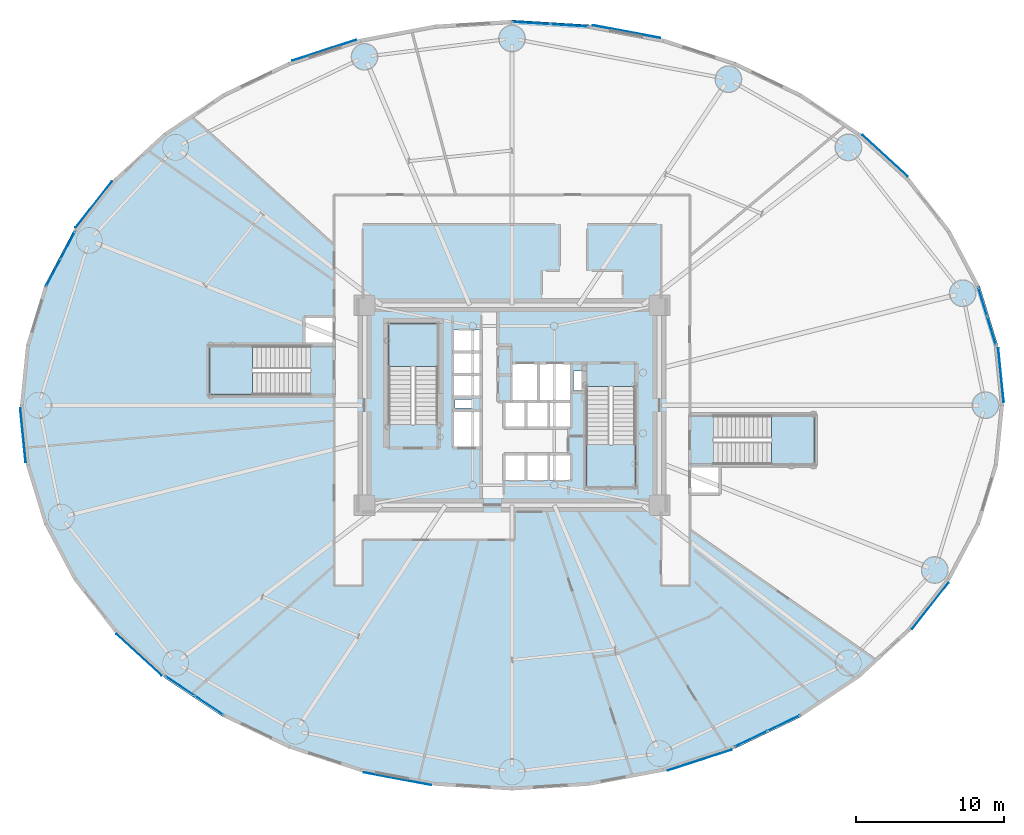
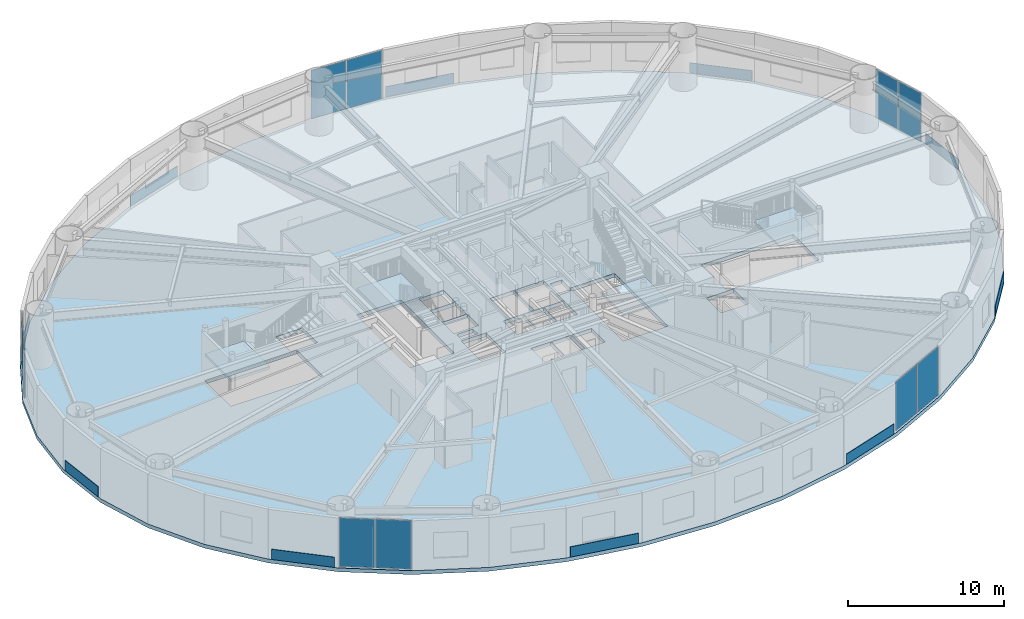
# One storey, part 12 of 30: 20 plates, 5 slabs, 9 elements without a shape of their own.
"""IFC4 building model written with IfcOpenShell, lengths in metres."""

from ifc_helpers import new_model, si_unit, direction, frame, origin, origin_2d, place, context, subcontext, project, spatial, polyline, rectangle, outline, extrude, source, transform, mapped, material, layer, layer_set, type_object, element, aggregate, save


model = new_model("IFC4")

# Units and contexts
model_context = context("Model", 3, precision=1e-05, world=origin(), true_north=direction((0.0, 1.0)))
body_context = subcontext(model_context, "Body", "Model", "MODEL_VIEW")
ifc_project = project(units=[si_unit("LENGTHUNIT", "METRE"), si_unit("AREAUNIT", "SQUARE_METRE"), si_unit("VOLUMEUNIT", "CUBIC_METRE"), si_unit("PLANEANGLEUNIT", "RADIAN"), si_unit("MASSUNIT", "GRAM", prefix="KILO")], contexts=[model_context])

# Site, building, storey
site_placement = place(None, origin())
site = spatial("IfcSite", under=ifc_project, at=site_placement, CompositionType="ELEMENT")
building_placement = place(site_placement, origin())
building = spatial("IfcBuilding", under=site, at=building_placement, Name="Linh Dai School and Residence Tower", CompositionType="ELEMENT")
storey_placement = place(building_placement, frame((0.0, 0.0, 10.199951171875)))
storey = spatial("IfcBuildingStorey", under=building, at=storey_placement, Name="L02", CompositionType="ELEMENT", Elevation=10.199951171875)

# Slab
ifc_material_1 = material(Name="Concrete B45 (C35/45)", Category="concrete")
ifc_layer_1 = layer(ifc_material_1, 0.300048828125)
ifc_layer_set_1 = layer_set([ifc_layer_1], Name="Concrete B45 (C35/45)")
slab_type_1 = type_object("IfcSlabType", Name="SLB-FLR300", PredefinedType="FLOOR", material=ifc_layer_set_1)
slab_1_placement = place(storey_placement, frame((0.0, 0.0, -0.300048828125)))
element("IfcSlab", 1, at=slab_1_placement, inside=storey, type_object=slab_type_1, Name="L02 Composite Structural Floor Slab", PredefinedType="FLOOR", context=body_context, shape_type="SweptSolid", body=[
    extrude(outline(polyline([(69.199951171875, 27.0), (68.791259765625, 31.0673828125), (67.5751953125, 35.034423828125), (65.581298828125, 38.8037109375), (62.859375, 42.282470703125), (59.475830078125, 45.384765625), (55.514404296875, 48.034423828125), (51.072509765625, 50.166259765625), (46.25927734375, 51.7275390625), (41.193603515625, 52.679931640625), (36.0, 53.0), (30.806396484375, 52.679931640625), (25.74072265625, 51.7275390625), (20.927490234375, 50.166259765625), (16.485595703125, 48.034423828125), (12.524169921875, 45.384765625), (9.140625, 42.282470703125), (6.418701171875, 38.8037109375), (4.4248046875, 35.034423828125), (3.208740234375, 31.0673828125), (2.800048828125, 27.0), (3.208740234375, 22.9326171875), (4.4248046875, 18.965576171875), (6.418701171875, 15.1962890625), (9.140625, 11.717529296875), (12.524169921875, 8.615234375), (16.485595703125, 5.965576171875), (20.927490234375, 3.833740234375), (25.74072265625, 2.2724609375), (30.806396484375, 1.320068359375), (36.0, 1.0), (41.193603515625, 1.320068359375), (46.25927734375, 2.2724609375), (51.072509765625, 3.833740234375), (55.514404296875, 5.965576171875), (59.475830078125, 8.615234375), (62.859375, 11.717529296875), (65.581298828125, 15.1962890625), (67.5751953125, 18.965576171875), (68.791259765625, 22.9326171875), (69.199951171875, 27.0)]), holes=[polyline([(30.97998046875, 25.699951171875), (30.97998046875, 32.5), (27.679931640625, 32.5), (27.679931640625, 25.699951171875), (30.97998046875, 25.699951171875)]), polyline([(41.02001953125, 28.25), (41.02001953125, 21.449951171875), (44.320068359375, 21.449951171875), (44.320068359375, 28.25), (41.02001953125, 28.25)]), polyline([(22.39990234375, 31.0), (15.60009765625, 31.0), (15.60009765625, 27.699951171875), (22.39990234375, 27.699951171875), (22.39990234375, 31.0)]), polyline([(49.60009765625, 23.0), (56.39990234375, 23.0), (56.39990234375, 26.300048828125), (49.60009765625, 26.300048828125), (49.60009765625, 23.0)]), polyline([(35.97998046875, 27.280029296875), (37.77001953125, 27.280029296875), (37.77001953125, 29.820068359375), (35.97998046875, 29.820068359375), (35.97998046875, 27.280029296875)]), polyline([(32.030029296875, 24.1298828125), (33.8701171875, 24.1298828125), (33.8701171875, 26.6201171875), (32.030029296875, 26.6201171875), (32.030029296875, 24.1298828125)]), polyline([(37.830078125, 27.280029296875), (39.969970703125, 27.280029296875), (39.969970703125, 29.820068359375), (37.830078125, 29.820068359375), (37.830078125, 27.280029296875)]), polyline([(35.47998046875, 21.929931640625), (36.929931640625, 21.929931640625), (36.929931640625, 23.669921875), (35.47998046875, 23.669921875), (35.47998046875, 21.929931640625)]), polyline([(36.989990234375, 21.929931640625), (38.449951171875, 21.929931640625), (38.449951171875, 23.669921875), (36.989990234375, 23.669921875), (36.989990234375, 21.929931640625)]), polyline([(38.510009765625, 21.929931640625), (39.969970703125, 21.929931640625), (39.969970703125, 23.669921875), (38.510009765625, 23.669921875), (38.510009765625, 21.929931640625)]), polyline([(32.030029296875, 27.580078125), (33.8701171875, 27.580078125), (33.8701171875, 29.030029296875), (32.030029296875, 29.030029296875), (32.030029296875, 27.580078125)]), polyline([(32.030029296875, 29.090087890625), (33.8701171875, 29.090087890625), (33.8701171875, 30.550048828125), (32.030029296875, 30.550048828125), (32.030029296875, 29.090087890625)]), polyline([(32.030029296875, 30.610107421875), (33.8701171875, 30.610107421875), (33.8701171875, 32.070068359375), (32.030029296875, 32.070068359375), (32.030029296875, 30.610107421875)]), polyline([(35.47998046875, 25.47998046875), (36.929931640625, 25.47998046875), (36.929931640625, 27.219970703125), (35.47998046875, 27.219970703125), (35.47998046875, 25.47998046875)]), polyline([(36.989990234375, 25.47998046875), (38.449951171875, 25.47998046875), (38.449951171875, 27.219970703125), (36.989990234375, 27.219970703125), (36.989990234375, 25.47998046875)]), polyline([(38.510009765625, 25.47998046875), (39.969970703125, 25.47998046875), (39.969970703125, 27.219970703125), (38.510009765625, 27.219970703125), (38.510009765625, 25.47998046875)]), polyline([(21.97998046875, 31.080078125), (23.969970703125, 31.080078125), (23.969970703125, 32.969970703125), (21.97998046875, 32.969970703125), (21.97998046875, 31.080078125)]), polyline([(48.030029296875, 21.030029296875), (50.02001953125, 21.030029296875), (50.02001953125, 22.919921875), (48.030029296875, 22.919921875), (48.030029296875, 21.030029296875)]), polyline([(40.14990234375, 28.0), (40.14990234375, 29.300048828125), (41.0, 29.300048828125), (41.0, 28.280029296875), (40.989990234375, 28.280029296875), (40.989990234375, 28.0), (40.14990234375, 28.0)]), polyline([(32.14990234375, 26.800048828125), (33.35009765625, 26.800048828125), (33.35009765625, 27.39990234375), (32.14990234375, 27.39990234375), (32.14990234375, 26.800048828125)])]), origin(), (0.0, 0.0, 1.0), 0.300048828125),
])

# Stair, slab
stair_type = type_object("IfcStairType", Name="ST-DOG-1550-R1500", PredefinedType="HALF_TURN_STAIR", material=ifc_material_1)
stair_1_placement = place(storey_placement, origin())
stair_1 = element("IfcStair", 2, at=stair_1_placement, inside=storey, type_object=stair_type, Name="L02 Core Smokeproof Exit Stair ST1", PredefinedType="HALF_TURN_STAIR")
ifc_layer_2 = layer(ifc_material_1, 0.199951171875)
ifc_layer_set_2 = layer_set([ifc_layer_2], Name="Concrete B45 (C35/45)")
slab_type_2 = type_object("IfcSlabType", Name="SLB-ST-LANDING-200", PredefinedType="LANDING", material=ifc_layer_set_2)
slab_2_placement = place(storey_placement, frame((0.0, 0.0, 1.900146484375)))
slab_2 = element("IfcSlab", 3, at=slab_2_placement, type_object=slab_type_2, Name="ST1 landing 1", PredefinedType="LANDING", context=body_context, shape_type="SweptSolid", body=[
    extrude(outline(polyline([(30.97998046875, 29.60009765625), (30.97998046875, 32.5), (27.679931640625, 32.5), (27.679931640625, 29.60009765625), (30.97998046875, 29.60009765625)])), origin(), (0.0, 0.0, 1.0), 0.199951171875),
])
aggregate(stair_1, [slab_2])

stair_2_placement = place(storey_placement, origin())
stair_2 = element("IfcStair", 4, at=stair_2_placement, inside=storey, type_object=stair_type, Name="L02 Core Smokeproof Exit Stair ST2", PredefinedType="HALF_TURN_STAIR")
slab_3_placement = place(storey_placement, frame((0.0, 0.0, 1.900146484375)))
slab_3 = element("IfcSlab", 5, at=slab_3_placement, type_object=slab_type_2, Name="ST2 landing 1", PredefinedType="LANDING", context=body_context, shape_type="SweptSolid", body=[
    extrude(outline(polyline([(41.02001953125, 24.35009765625), (41.02001953125, 21.449951171875), (44.320068359375, 21.449951171875), (44.320068359375, 24.35009765625), (41.02001953125, 24.35009765625)])), origin(), (0.0, 0.0, 1.0), 0.199951171875),
])
aggregate(stair_2, [slab_3])

stair_3_placement = place(storey_placement, origin())
stair_3 = element("IfcStair", 6, at=stair_3_placement, inside=storey, type_object=stair_type, Name="L02 School Exit Stair STS1", PredefinedType="HALF_TURN_STAIR")
slab_4_placement = place(storey_placement, frame((0.0, 0.0, 1.900146484375)))
slab_4 = element("IfcSlab", 7, at=slab_4_placement, type_object=slab_type_2, Name="STS1 landing 1", PredefinedType="LANDING", context=body_context, shape_type="SweptSolid", body=[
    extrude(outline(polyline([(18.5, 31.0), (15.60009765625, 31.0), (15.60009765625, 27.699951171875), (18.5, 27.699951171875), (18.5, 31.0)])), origin(), (0.0, 0.0, 1.0), 0.199951171875),
])
aggregate(stair_3, [slab_4])

stair_4_placement = place(storey_placement, origin())
stair_4 = element("IfcStair", 8, at=stair_4_placement, inside=storey, type_object=stair_type, Name="L02 School Exit Stair STS2", PredefinedType="HALF_TURN_STAIR")
slab_5_placement = place(storey_placement, frame((0.0, 0.0, 1.900146484375)))
slab_5 = element("IfcSlab", 9, at=slab_5_placement, type_object=slab_type_2, Name="STS2 landing 1", PredefinedType="LANDING", context=body_context, shape_type="SweptSolid", body=[
    extrude(outline(polyline([(53.5, 23.0), (56.39990234375, 23.0), (56.39990234375, 26.300048828125), (53.5, 26.300048828125), (53.5, 23.0)])), origin(), (0.0, 0.0, 1.0), 0.199951171875),
])
aggregate(stair_4, [slab_5])

# Plates
ifc_material_2 = material(Name="Terracotta Rainscreen Cladding", Category="masonry")
ifc_layer_3 = layer(ifc_material_2, 0.0400390625)
ifc_layer_set_3 = layer_set([ifc_layer_3], Name="Terracotta Rainscreen Cladding")
plate_type_1 = type_object("IfcPlateType", Name="PLT-TC-SPANDREL", PredefinedType="SHEET", material=ifc_layer_set_3)
shared_shape_1 = source(origin(), body_context, "Body", "SweptSolid", [
    extrude(rectangle(XDim=3.656494140625, YDim=0.0400390625, at=origin_2d()), origin(), (0.0, 0.0, 1.0), 0.800048828125),
])
for number, where, z_axis, x_axis, name in (
    (10, (69.006103515625, 29.03466796875, 0.02001953125), (0.0, 0.0, 1.0), (0.099995480682, -0.994987891305, 0.0), "L02 Terracotta Spandrel Sheet 01"),
    (11, (2.993896484375, 24.96533203125, 0.02001953125), (0.0, 0.0, 1.0), (-0.099995480682, 0.994987891305, 0.0), "L02 Terracotta Spandrel Sheet 21"),
):
    element("IfcPlate", number, at=place(storey_placement, frame(where, z_axis=z_axis, x_axis=x_axis)), inside=storey, type_object=plate_type_1, Name=name, PredefinedType="SHEET", context=body_context, shape_type="MappedRepresentation", body=[
        mapped(shared_shape_1, transform((0.0, 0.0, 0.0), x_axis=(1.0, 0.0, 0.0), y_axis=(0.0, 1.0, 0.0), z_axis=(0.0, 0.0, 1.0), scale=1.0)),
    ])

# Curtain wall, plates
ifc_material_3 = material(Name="Aluminium Anodised Curtain Wall", Category="aluminium")
ifc_layer_4 = layer(ifc_material_3, 0.169921875)
ifc_layer_set_4 = layer_set([ifc_layer_4], Name="Aluminium Anodised Curtain Wall")
curtain_wall_type = type_object("IfcCurtainWallType", Name="CW-SYS-2", PredefinedType="USERDEFINED", material=ifc_layer_set_4)
curtain_wall_1_placement = place(storey_placement, origin())
curtain_wall_1 = element("IfcCurtainWall", 12, at=curtain_wall_1_placement, inside=storey, type_object=curtain_wall_type, Name="L02 CW2 Curtain Wall 02", ObjectType="UNITISED CURTAIN WALL", PredefinedType="USERDEFINED")
ifc_material_4 = material(Name="Double Low-E Insulated Glazing", Category="glass")
ifc_layer_5 = layer(ifc_material_4, 0.030029296875)
ifc_layer_set_5 = layer_set([ifc_layer_5], Name="Double Low-E Insulated Glazing")
plate_type_2 = type_object("IfcPlateType", Name="CW-SYS-2-PAN", PredefinedType="CURTAIN_PANEL", material=ifc_layer_set_5)
shared_shape_2 = source(origin(), body_context, "Body", "SweptSolid", [
    extrude(rectangle(XDim=1.97265625, YDim=0.030029296875, at=origin_2d()), origin(), (0.0, 0.0, 1.0), 3.780029296875),
])
plate_1_placement = place(storey_placement, frame((67.766357421875, 33.986083984375, 0.06005859375), z_axis=(0.0, 0.0, 1.0), x_axis=(0.293103659962, -0.956080668415, 0.0)))
plate_1 = element("IfcPlate", 13, at=plate_1_placement, type_object=plate_type_2, Name="CW2 panel 1.1", PredefinedType="CURTAIN_PANEL", context=body_context, shape_type="MappedRepresentation", body=[
    mapped(shared_shape_2, transform((0.0, 0.0, 0.0), x_axis=(1.0, 0.0, 0.0), y_axis=(0.0, 1.0, 0.0), z_axis=(0.0, 0.0, 1.0), scale=1.0)),
])
plate_2_placement = place(storey_placement, frame((68.362060546875, 32.04296875, 0.06005859375), z_axis=(0.0, 0.0, 1.0), x_axis=(0.293103659962, -0.956080668415, 0.0)))
plate_2 = element("IfcPlate", 14, at=plate_2_placement, type_object=plate_type_2, Name="CW2 panel 2.1", PredefinedType="CURTAIN_PANEL", context=body_context, shape_type="MappedRepresentation", body=[
    mapped(shared_shape_2, transform((0.0, 0.0, 0.0), x_axis=(1.0, 0.0, 0.0), y_axis=(0.0, 1.0, 0.0), z_axis=(0.0, 0.0, 1.0), scale=1.0)),
])
aggregate(curtain_wall_1, [plate_1, plate_2])

# Plates
shared_shape_3 = source(origin(), body_context, "Body", "SweptSolid", [
    extrude(rectangle(XDim=4.113525390625, YDim=0.0400390625, at=origin_2d()), origin(), (0.0, 0.0, 1.0), 0.800048828125),
])
for number, where, z_axis, x_axis, name in (
    (15, (61.174560546875, 43.84130859375, 0.02001953125), (0.0, 0.0, 1.0), (0.737062771311, -0.675824290143, 0.0), "L02 Terracotta Spandrel Sheet 05"),
    (16, (10.825439453125, 10.15869140625, 0.02001953125), (0.0, 0.0, 1.0), (-0.737061772031, 0.675825379969, 0.0), "L02 Terracotta Spandrel Sheet 25"),
):
    element("IfcPlate", number, at=place(storey_placement, frame(where, z_axis=z_axis, x_axis=x_axis)), inside=storey, type_object=plate_type_1, Name=name, PredefinedType="SHEET", context=body_context, shape_type="MappedRepresentation", body=[
        mapped(shared_shape_3, transform((0.0, 0.0, 0.0), x_axis=(1.0, 0.0, 0.0), y_axis=(0.0, 1.0, 0.0), z_axis=(0.0, 0.0, 1.0), scale=1.0)),
    ])
shared_shape_4 = source(origin(), body_context, "Body", "SweptSolid", [
    extrude(rectangle(XDim=4.625, YDim=0.0400390625, at=origin_2d()), origin(), (0.0, 0.0, 1.0), 0.800048828125),
])
for number, where, z_axis, x_axis, name in (
    (17, (43.728271484375, 52.2138671875, 0.02001953125), (0.0, 0.0, 1.0), (0.982780818112, -0.184775170275, 0.0), "L02 Terracotta Spandrel Sheet 09"),
    (18, (28.271728515625, 1.7861328125, 0.02001953125), (0.0, 0.0, 1.0), (-0.982780818112, 0.184775170275, 0.0), "L02 Terracotta Spandrel Sheet 29"),
):
    element("IfcPlate", number, at=place(storey_placement, frame(where, z_axis=z_axis, x_axis=x_axis)), inside=storey, type_object=plate_type_1, Name=name, PredefinedType="SHEET", context=body_context, shape_type="MappedRepresentation", body=[
        mapped(shared_shape_4, transform((0.0, 0.0, 0.0), x_axis=(1.0, 0.0, 0.0), y_axis=(0.0, 1.0, 0.0), z_axis=(0.0, 0.0, 1.0), scale=1.0)),
    ])

# Curtain wall, plates
curtain_wall_2_placement = place(storey_placement, origin())
curtain_wall_2 = element("IfcCurtainWall", 19, at=curtain_wall_2_placement, inside=storey, type_object=curtain_wall_type, Name="L02 CW2 Curtain Wall 10", ObjectType="UNITISED CURTAIN WALL", PredefinedType="USERDEFINED")
shared_shape_5 = source(origin(), body_context, "Body", "SweptSolid", [
    extrude(rectangle(XDim=2.504150390625, YDim=0.030029296875, at=origin_2d()), origin(), (0.0, 0.0, 1.0), 3.780029296875),
])
plate_3_placement = place(storey_placement, frame((37.3095703125, 52.794189453125, 0.06005859375), z_axis=(0.0, 0.0, 1.0), x_axis=(0.998106086185, -0.061516182598, 0.0)))
plate_3 = element("IfcPlate", 20, at=plate_3_placement, type_object=plate_type_2, Name="CW2 panel 1.1", PredefinedType="CURTAIN_PANEL", context=body_context, shape_type="MappedRepresentation", body=[
    mapped(shared_shape_5, transform((0.0, 0.0, 0.0), x_axis=(1.0, 0.0, 0.0), y_axis=(0.0, 1.0, 0.0), z_axis=(0.0, 0.0, 1.0), scale=1.0)),
])
plate_4_placement = place(storey_placement, frame((39.86865234375, 52.636474609375, 0.06005859375), z_axis=(0.0, 0.0, 1.0), x_axis=(0.998106086185, -0.061516182598, 0.0)))
plate_4 = element("IfcPlate", 21, at=plate_4_placement, type_object=plate_type_2, Name="CW2 panel 2.1", PredefinedType="CURTAIN_PANEL", context=body_context, shape_type="MappedRepresentation", body=[
    mapped(shared_shape_5, transform((0.0, 0.0, 0.0), x_axis=(1.0, 0.0, 0.0), y_axis=(0.0, 1.0, 0.0), z_axis=(0.0, 0.0, 1.0), scale=1.0)),
])
aggregate(curtain_wall_2, [plate_3, plate_4])

# Plates
shared_shape_6 = source(origin(), body_context, "Body", "SweptSolid", [
    extrude(rectangle(XDim=4.539306640625, YDim=0.0400390625, at=origin_2d()), origin(), (0.0, 0.0, 1.0), 0.800048828125),
])
for number, where, z_axis, x_axis, name in (
    (22, (23.3310546875, 50.95654296875, 0.02001953125), (0.0, 0.0, 1.0), (0.951206809592, 0.308554055858, 0.0), "L02 Terracotta Spandrel Sheet 13"),
    (23, (48.6689453125, 3.04345703125, 0.02001953125), (0.0, 0.0, 1.0), (-0.951206809592, -0.308554055858, 0.0), "L02 Terracotta Spandrel Sheet 33"),
):
    element("IfcPlate", number, at=place(storey_placement, frame(where, z_axis=z_axis, x_axis=x_axis)), inside=storey, type_object=plate_type_1, Name=name, PredefinedType="SHEET", context=body_context, shape_type="MappedRepresentation", body=[
        mapped(shared_shape_6, transform((0.0, 0.0, 0.0), x_axis=(1.0, 0.0, 0.0), y_axis=(0.0, 1.0, 0.0), z_axis=(0.0, 0.0, 1.0), scale=1.0)),
    ])
shared_shape_7 = source(origin(), body_context, "Body", "SweptSolid", [
    extrude(rectangle(XDim=3.956298828125, YDim=0.0400390625, at=origin_2d()), origin(), (0.0, 0.0, 1.0), 0.800048828125),
])
for number, where, z_axis, x_axis, name in (
    (24, (7.771484375, 40.5498046875, 0.02001953125), (0.0, 0.0, 1.0), (0.616260230785, 0.787542588025, 0.0), "L02 Terracotta Spandrel Sheet 17"),
    (25, (64.228515625, 13.4501953125, 0.02001953125), (0.0, 0.0, 1.0), (-0.616260230785, -0.787542588025, 0.0), "L02 Terracotta Spandrel Sheet 37"),
):
    element("IfcPlate", number, at=place(storey_placement, frame(where, z_axis=z_axis, x_axis=x_axis)), inside=storey, type_object=plate_type_1, Name=name, PredefinedType="SHEET", context=body_context, shape_type="MappedRepresentation", body=[
        mapped(shared_shape_7, transform((0.0, 0.0, 0.0), x_axis=(1.0, 0.0, 0.0), y_axis=(0.0, 1.0, 0.0), z_axis=(0.0, 0.0, 1.0), scale=1.0)),
    ])

# Curtain wall, plates
curtain_wall_3_placement = place(storey_placement, origin())
curtain_wall_3 = element("IfcCurtainWall", 26, at=curtain_wall_3_placement, inside=storey, type_object=curtain_wall_type, Name="L02 CW2 Curtain Wall 18", ObjectType="UNITISED CURTAIN WALL", PredefinedType="USERDEFINED")
shared_shape_8 = source(origin(), body_context, "Body", "SweptSolid", [
    extrude(rectangle(XDim=2.030517578125, YDim=0.030029296875, at=origin_2d()), origin(), (0.0, 0.0, 1.0), 3.780029296875),
])
plate_5_placement = place(storey_placement, frame((5.043212890625, 35.93701171875, 0.06005859375), z_axis=(0.0, 0.0, 1.0), x_axis=(0.467555104298, 0.883963927118, 0.0)))
plate_5 = element("IfcPlate", 27, at=plate_5_placement, type_object=plate_type_2, Name="CW2 panel 1.1", PredefinedType="CURTAIN_PANEL", context=body_context, shape_type="MappedRepresentation", body=[
    mapped(shared_shape_8, transform((0.0, 0.0, 0.0), x_axis=(1.0, 0.0, 0.0), y_axis=(0.0, 1.0, 0.0), z_axis=(0.0, 0.0, 1.0), scale=1.0)),
])
plate_6_placement = place(storey_placement, frame((6.0205078125, 37.78515625, 0.06005859375), z_axis=(0.0, 0.0, 1.0), x_axis=(0.467555104298, 0.883963927118, 0.0)))
plate_6 = element("IfcPlate", 28, at=plate_6_placement, type_object=plate_type_2, Name="CW2 panel 2.1", PredefinedType="CURTAIN_PANEL", context=body_context, shape_type="MappedRepresentation", body=[
    mapped(shared_shape_8, transform((0.0, 0.0, 0.0), x_axis=(1.0, 0.0, 0.0), y_axis=(0.0, 1.0, 0.0), z_axis=(0.0, 0.0, 1.0), scale=1.0)),
])
aggregate(curtain_wall_3, [plate_5, plate_6])

curtain_wall_4_placement = place(storey_placement, origin())
curtain_wall_4 = element("IfcCurtainWall", 29, at=curtain_wall_4_placement, inside=storey, type_object=curtain_wall_type, Name="L02 CW2 Curtain Wall 26", ObjectType="UNITISED CURTAIN WALL", PredefinedType="USERDEFINED")
shared_shape_9 = source(origin(), body_context, "Body", "SweptSolid", [
    extrude(rectangle(XDim=2.28369140625, YDim=0.030029296875, at=origin_2d()), origin(), (0.0, 0.0, 1.0), 3.780029296875),
])
plate_7_placement = place(storey_placement, frame((15.54833984375, 6.742431640625, 0.06005859375), z_axis=(0.0, 0.0, 1.0), x_axis=(-0.831211344437, 0.555956563843, 0.0)))
plate_7 = element("IfcPlate", 30, at=plate_7_placement, type_object=plate_type_2, Name="CW2 panel 1.1", PredefinedType="CURTAIN_PANEL", context=body_context, shape_type="MappedRepresentation", body=[
    mapped(shared_shape_9, transform((0.0, 0.0, 0.0), x_axis=(1.0, 0.0, 0.0), y_axis=(0.0, 1.0, 0.0), z_axis=(0.0, 0.0, 1.0), scale=1.0)),
])
plate_8_placement = place(storey_placement, frame((13.60009765625, 8.04541015625, 0.06005859375), z_axis=(0.0, 0.0, 1.0), x_axis=(-0.831211344437, 0.555956563843, 0.0)))
plate_8 = element("IfcPlate", 31, at=plate_8_placement, type_object=plate_type_2, Name="CW2 panel 2.1", PredefinedType="CURTAIN_PANEL", context=body_context, shape_type="MappedRepresentation", body=[
    mapped(shared_shape_9, transform((0.0, 0.0, 0.0), x_axis=(1.0, 0.0, 0.0), y_axis=(0.0, 1.0, 0.0), z_axis=(0.0, 0.0, 1.0), scale=1.0)),
])
aggregate(curtain_wall_4, [plate_7, plate_8])

curtain_wall_5_placement = place(storey_placement, origin())
curtain_wall_5 = element("IfcCurtainWall", 32, at=curtain_wall_5_placement, inside=storey, type_object=curtain_wall_type, Name="L02 CW2 Curtain Wall 34", ObjectType="UNITISED CURTAIN WALL", PredefinedType="USERDEFINED")
shared_shape_10 = source(origin(), body_context, "Body", "SweptSolid", [
    extrude(rectangle(XDim=2.364990234375, YDim=0.030029296875, at=origin_2d()), origin(), (0.0, 0.0, 1.0), 3.780029296875),
])
plate_9_placement = place(storey_placement, frame((54.33251953125, 5.53662109375, 0.06005859375), z_axis=(0.0, 0.0, 1.0), x_axis=(-0.901558428479, -0.432657370259, 0.0)))
plate_9 = element("IfcPlate", 33, at=plate_9_placement, type_object=plate_type_2, Name="CW2 panel 1.1", PredefinedType="CURTAIN_PANEL", context=body_context, shape_type="MappedRepresentation", body=[
    mapped(shared_shape_10, transform((0.0, 0.0, 0.0), x_axis=(1.0, 0.0, 0.0), y_axis=(0.0, 1.0, 0.0), z_axis=(0.0, 0.0, 1.0), scale=1.0)),
])
plate_10_placement = place(storey_placement, frame((52.146240234375, 4.487548828125, 0.06005859375), z_axis=(0.0, 0.0, 1.0), x_axis=(-0.901558428479, -0.432657370259, 0.0)))
plate_10 = element("IfcPlate", 34, at=plate_10_placement, type_object=plate_type_2, Name="CW2 panel 2.1", PredefinedType="CURTAIN_PANEL", context=body_context, shape_type="MappedRepresentation", body=[
    mapped(shared_shape_10, transform((0.0, 0.0, 0.0), x_axis=(1.0, 0.0, 0.0), y_axis=(0.0, 1.0, 0.0), z_axis=(0.0, 0.0, 1.0), scale=1.0)),
])
aggregate(curtain_wall_5, [plate_9, plate_10])

save(model, "model.ifc")
